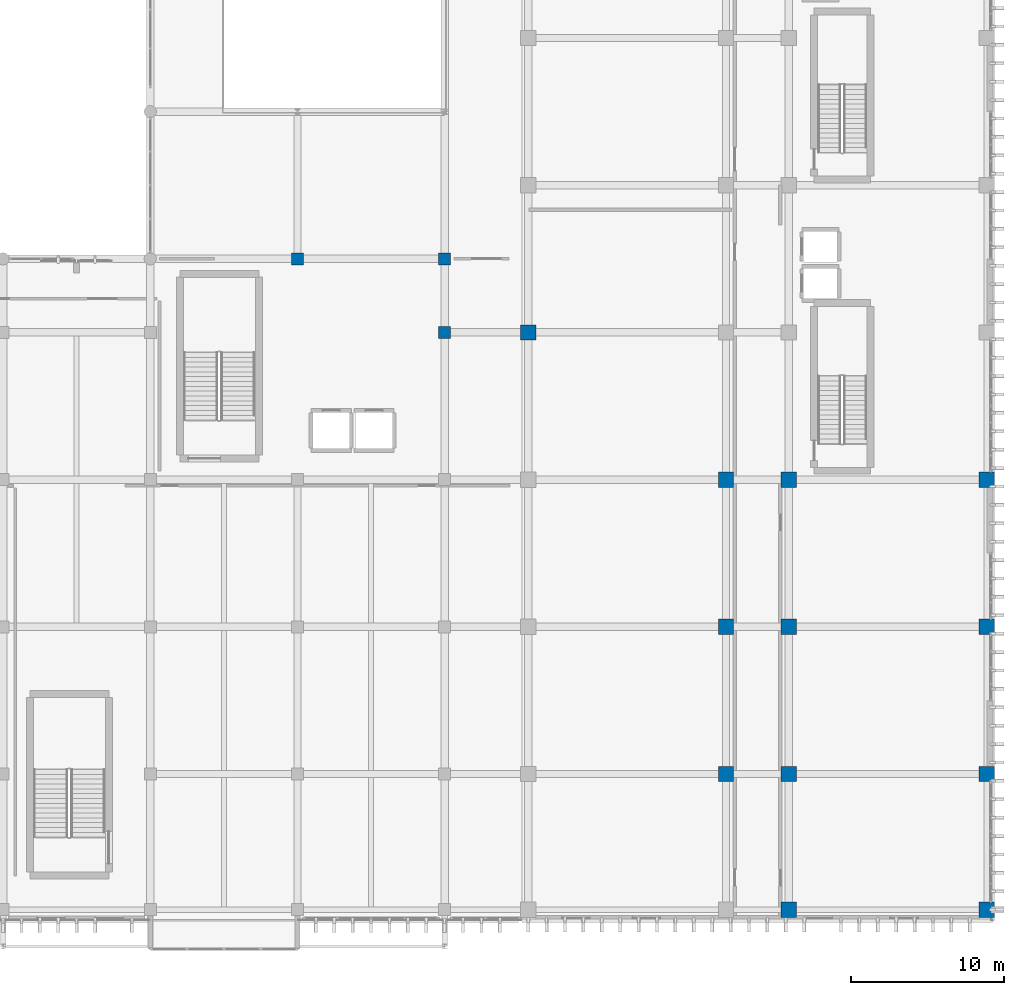
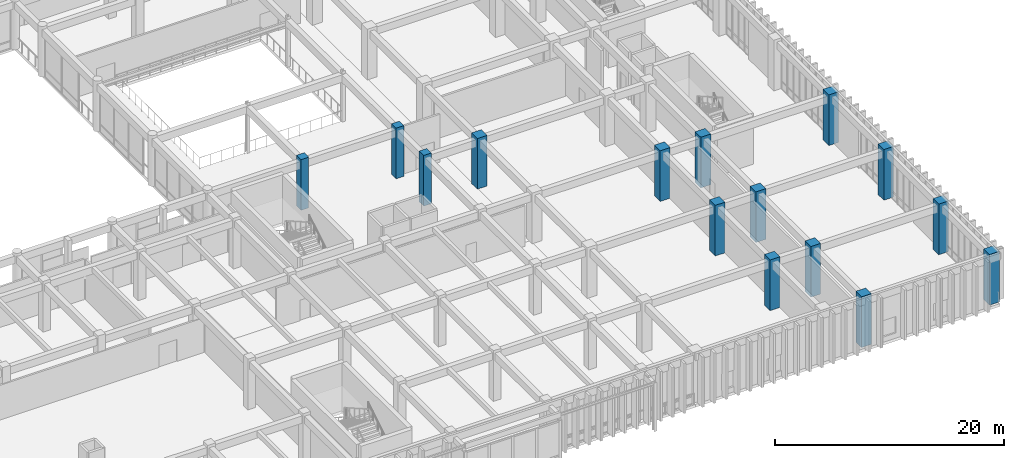
# One storey, part 7 of 134: 15 columns.
"""IFC4 building model written with IfcOpenShell, lengths in metres."""

from ifc_helpers import new_model, si_unit, direction, frame, origin, origin_2d, place, context, subcontext, project, spatial, rectangle, extrude, material, material_profile, profile_set, type_object, element, save


model = new_model("IFC4")

# Units and contexts
model_context = context("Model", 3, precision=1e-05, world=origin(), true_north=direction((0.0, 1.0)))
body_context = subcontext(model_context, "Body", "Model", "MODEL_VIEW")
ifc_project = project(units=[si_unit("LENGTHUNIT", "METRE"), si_unit("AREAUNIT", "SQUARE_METRE"), si_unit("VOLUMEUNIT", "CUBIC_METRE"), si_unit("PLANEANGLEUNIT", "RADIAN"), si_unit("MASSUNIT", "GRAM", prefix="KILO")], contexts=[model_context])

# Site, building, storey
site_placement = place(None, origin())
site = spatial("IfcSite", under=ifc_project, at=site_placement, CompositionType="ELEMENT")
building_placement = place(site_placement, origin())
building = spatial("IfcBuilding", under=site, at=building_placement, Name="Nakhvara Creek Congress Hotel", CompositionType="ELEMENT")
storey_placement = place(building_placement, frame((0.0, 0.0, 6.0)))
storey = spatial("IfcBuildingStorey", under=building, at=storey_placement, Name="L01", CompositionType="ELEMENT", Elevation=6.0)

# Columns
ifc_material = material(Name="Concrete C50/60", Category="concrete")
ifc_material_profile_1 = material_profile(ifc_material, rectangle(XDim=1.0, YDim=1.0, at=origin_2d()), Name="RC-COL 1000x1000", Category="LoadBearing")
ifc_profile_set_1 = profile_set([ifc_material_profile_1], Name="Concrete C50/60")
column_type_1 = type_object("IfcColumnType", Name="COL-RC-1000", PredefinedType="COLUMN", material=ifc_profile_set_1)
for number, where, z_axis, x_axis, name in (
    (1, (149.449951171875, 38.39990234375, 0.0), (0.0, 0.0, 1.0), (1.0, 0.0, 0.0), "Column C02-L01-0984"),
    (2, (162.35009765625, 9.60009765625, 0.0), (0.0, 0.0, 1.0), (1.0, 0.0, 0.0), "Column C02-L01-0995"),
    (3, (162.35009765625, 19.199951171875, 0.0), (0.0, 0.0, 1.0), (1.0, 0.0, 0.0), "Column C02-L01-0996"),
    (4, (162.35009765625, 28.800048828125, 0.0), (0.0, 0.0, 1.0), (1.0, 0.0, 0.0), "Column C02-L01-0997"),
    (5, (166.449951171875, 0.75, 0.0), (0.0, 0.0, 1.0), (1.0, 0.0, 0.0), "Column C02-L01-1008"),
    (6, (166.449951171875, 9.60009765625, 0.0), (0.0, 0.0, 1.0), (1.0, 0.0, 0.0), "Column C02-L01-1009"),
    (7, (166.449951171875, 19.199951171875, 0.0), (0.0, 0.0, 1.0), (1.0, 0.0, 0.0), "Column C02-L01-1010"),
    (8, (166.449951171875, 28.800048828125, 0.0), (0.0, 0.0, 1.0), (1.0, 0.0, 0.0), "Column C02-L01-1011"),
    (9, (179.35009765625, 0.75, 0.0), (0.0, 0.0, 1.0), (1.0, 0.0, 0.0), "Column C02-L01-1022"),
    (10, (179.35009765625, 9.60009765625, 0.0), (0.0, 0.0, 1.0), (1.0, 0.0, 0.0), "Column C02-L01-1023"),
    (11, (179.35009765625, 19.199951171875, 0.0), (0.0, 0.0, 1.0), (1.0, 0.0, 0.0), "Column C02-L01-1024"),
    (12, (179.35009765625, 28.800048828125, 0.0), (0.0, 0.0, 1.0), (1.0, 0.0, 0.0), "Column C02-L01-1025"),
):
    element("IfcColumn", number, at=place(storey_placement, frame(where, z_axis=z_axis, x_axis=x_axis)), inside=storey, type_object=column_type_1, Name=name, PredefinedType="COLUMN", context=body_context, shape_type="SweptSolid", body=[
        extrude(rectangle(XDim=1.0, YDim=1.0, at=origin_2d()), origin(), (0.0, 0.0, 1.0), 5.39990234375),
    ])
ifc_material_profile_2 = material_profile(ifc_material, rectangle(XDim=0.780029296875, YDim=0.780029296875, at=origin_2d()), Name="RC-COL 780x780", Category="LoadBearing")
ifc_profile_set_2 = profile_set([ifc_material_profile_2], Name="Concrete C50/60")
column_type_2 = type_object("IfcColumnType", Name="COL-RC-780", PredefinedType="COLUMN", material=ifc_profile_set_2)
for number, where, z_axis, x_axis, name in (
    (13, (134.39990234375, 43.199951171875, 0.0), (0.0, 0.0, 1.0), (1.0, 0.0, 0.0), "Column C19-L01-0958"),
    (14, (144.0, 38.39990234375, 0.0), (0.0, 0.0, 1.0), (1.0, 0.0, 0.0), "Column C19-L01-0968"),
    (15, (144.0, 43.199951171875, 0.0), (0.0, 0.0, 1.0), (1.0, 0.0, 0.0), "Column C19-L01-0969"),
):
    element("IfcColumn", number, at=place(storey_placement, frame(where, z_axis=z_axis, x_axis=x_axis)), inside=storey, type_object=column_type_2, Name=name, PredefinedType="COLUMN", context=body_context, shape_type="SweptSolid", body=[
        extrude(rectangle(XDim=0.780029296875, YDim=0.780029296875, at=origin_2d()), origin(), (0.0, 0.0, 1.0), 5.39990234375),
    ])

save(model, "model.ifc")
